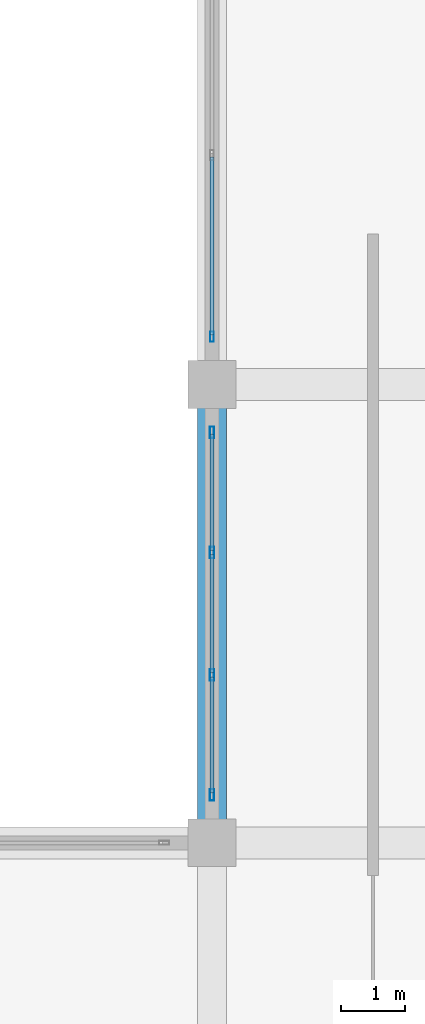
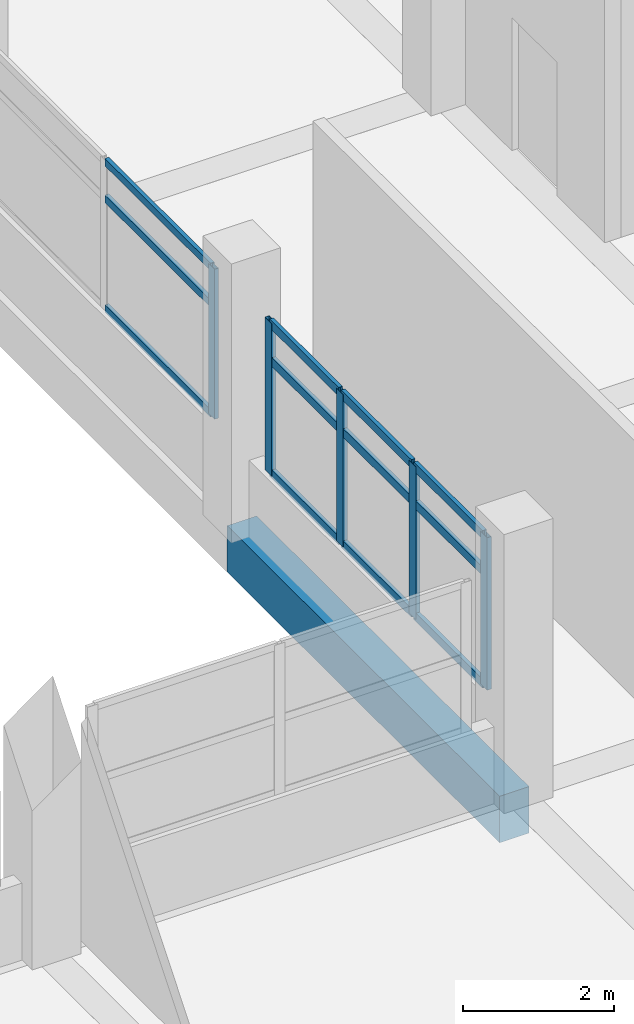
# One storey, part 45 of 141: 17 members, 1 beam, 2 elements without a shape of their own.
"""IFC4 building model written with IfcOpenShell, lengths in metres."""

from ifc_helpers import new_model, si_unit, direction, frame, origin, origin_2d, place, context, subcontext, project, spatial, rectangle, hollow_rectangle, extrude, material, layer, layer_set, material_profile, profile_set, type_object, element, aggregate, save


model = new_model("IFC4")

# Units and contexts
model_context = context("Model", 3, precision=1e-05, world=origin(), true_north=direction((0.0, 1.0)))
body_context = subcontext(model_context, "Body", "Model", "MODEL_VIEW")
ifc_project = project(units=[si_unit("LENGTHUNIT", "METRE"), si_unit("AREAUNIT", "SQUARE_METRE"), si_unit("VOLUMEUNIT", "CUBIC_METRE"), si_unit("PLANEANGLEUNIT", "RADIAN"), si_unit("MASSUNIT", "GRAM", prefix="KILO")], contexts=[model_context])

# Site, building, storey
site_placement = place(None, origin())
site = spatial("IfcSite", under=ifc_project, at=site_placement, CompositionType="ELEMENT")
building_placement = place(site_placement, origin())
building = spatial("IfcBuilding", under=site, at=building_placement, Name="Seraya Terrace Polytechnic", CompositionType="ELEMENT")
storey_placement = place(building_placement, frame((0.0, 0.0, 14.39990234375)))
storey = spatial("IfcBuildingStorey", under=building, at=storey_placement, Name="L03", CompositionType="ELEMENT", Elevation=14.39990234375)

# Beam
ifc_material_1 = material(Name="Concrete C40/50", Category="concrete")
ifc_material_profile_1 = material_profile(ifc_material_1, rectangle(XDim=0.449951171875, YDim=0.75, at=origin_2d()), Name="RC 450x750")
ifc_profile_set_1 = profile_set([ifc_material_profile_1], Name="Concrete C40/50")
beam_type = type_object("IfcBeamType", Name="BM-08", PredefinedType="BEAM", material=ifc_profile_set_1)
beam_placement = place(storey_placement, frame((79.199951171875, 28.800048828125, -0.375), z_axis=(0.0, 1.0, 0.0), x_axis=(-1.0, 0.0, 0.0)))
element("IfcBeam", 1, at=beam_placement, inside=storey, type_object=beam_type, Name="Beam BM-08 L03 Y (79.2, 28.8..36.0)", PredefinedType="BEAM", context=body_context, shape_type="SweptSolid", body=[
    extrude(rectangle(XDim=0.449951171875, YDim=0.75, at=origin_2d()), origin(), (0.0, 0.0, 1.0), 7.199951171875),
])

# Curtain wall, members
ifc_material_2 = material(Name="Anodised aluminium EN AW-6063 T6", Category="aluminium")
ifc_layer_1 = layer(ifc_material_2, 0.179931640625, Name="CW-28")
ifc_layer_set_1 = layer_set([ifc_layer_1], Name="Anodised aluminium EN AW-6063 T6")
curtain_wall_type_1 = type_object("IfcCurtainWallType", Name="CW-28", PredefinedType="NOTDEFINED", material=ifc_layer_set_1)
curtain_wall_1_placement = place(storey_placement, origin())
curtain_wall_1 = element("IfcCurtainWall", 2, at=curtain_wall_1_placement, inside=storey, type_object=curtain_wall_type_1, Name="Unitised curtain wall CW-28 (CW-L03-136)", PredefinedType="NOTDEFINED")
ifc_material_profile_2 = material_profile(ifc_material_2, hollow_rectangle(XDim=0.06494140625, YDim=0.179931640625, WallThickness=0.00390625, at=origin_2d()), Name="RHS 180x65x4.0")
ifc_profile_set_2 = profile_set([ifc_material_profile_2], Name="Anodised aluminium EN AW-6063 T6")
member_type_1 = type_object("IfcMemberType", Name="CWM-01", PredefinedType="MULLION", material=ifc_profile_set_2)
member_1_placement = place(storey_placement, frame((79.199951171875, 29.552490234375, 1.239990234375), z_axis=(0.0, 0.0, 1.0), x_axis=(-1.0, 0.0, 0.0)))
member_1 = element("IfcMember", 3, at=member_1_placement, type_object=member_type_1, Name="CW-28 mullion 1", PredefinedType="MULLION", context=body_context, shape_type="SweptSolid", body=[
    extrude(hollow_rectangle(XDim=0.06494140625, YDim=0.179931640625, WallThickness=0.00390625, at=origin_2d()), origin(), (0.0, 0.0, 1.0), 2.460205078125),
])
member_2_placement = place(storey_placement, frame((79.199951171875, 31.43994140625, 1.239990234375), z_axis=(0.0, 0.0, 1.0), x_axis=(-1.0, 0.0, 0.0)))
member_2 = element("IfcMember", 4, at=member_2_placement, type_object=member_type_1, Name="CW-28 mullion 2", PredefinedType="MULLION", context=body_context, shape_type="SweptSolid", body=[
    extrude(hollow_rectangle(XDim=0.06494140625, YDim=0.179931640625, WallThickness=0.00390625, at=origin_2d()), origin(), (0.0, 0.0, 1.0), 2.460205078125),
])
member_3_placement = place(storey_placement, frame((79.199951171875, 33.360107421875, 1.239990234375), z_axis=(0.0, 0.0, 1.0), x_axis=(-1.0, 0.0, 0.0)))
member_3 = element("IfcMember", 5, at=member_3_placement, type_object=member_type_1, Name="CW-28 mullion 3", PredefinedType="MULLION", context=body_context, shape_type="SweptSolid", body=[
    extrude(hollow_rectangle(XDim=0.06494140625, YDim=0.179931640625, WallThickness=0.00390625, at=origin_2d()), origin(), (0.0, 0.0, 1.0), 2.460205078125),
])
member_4_placement = place(storey_placement, frame((79.199951171875, 35.24755859375, 1.239990234375), z_axis=(0.0, 0.0, 1.0), x_axis=(-1.0, 0.0, 0.0)))
member_4 = element("IfcMember", 6, at=member_4_placement, type_object=member_type_1, Name="CW-28 mullion 4", PredefinedType="MULLION", context=body_context, shape_type="SweptSolid", body=[
    extrude(hollow_rectangle(XDim=0.06494140625, YDim=0.179931640625, WallThickness=0.00390625, at=origin_2d()), origin(), (0.0, 0.0, 1.0), 2.460205078125),
])

# Curtain wall, member
ifc_layer_2 = layer(ifc_material_2, 0.179931640625, Name="CW-29")
ifc_layer_set_2 = layer_set([ifc_layer_2], Name="Anodised aluminium EN AW-6063 T6")
curtain_wall_type_2 = type_object("IfcCurtainWallType", Name="CW-29", PredefinedType="NOTDEFINED", material=ifc_layer_set_2)
curtain_wall_2_placement = place(storey_placement, origin())
curtain_wall_2 = element("IfcCurtainWall", 7, at=curtain_wall_2_placement, inside=storey, type_object=curtain_wall_type_2, Name="Unitised curtain wall CW-29 (CW-L03-137)", PredefinedType="NOTDEFINED")
ifc_material_profile_3 = material_profile(ifc_material_2, hollow_rectangle(XDim=0.06005859375, YDim=0.159912109375, WallThickness=0.00341796875, at=origin_2d()), Name="RHS 160x60x3.5")
ifc_profile_set_3 = profile_set([ifc_material_profile_3], Name="Anodised aluminium EN AW-6063 T6")
member_type_2 = type_object("IfcMemberType", Name="CWM-02", PredefinedType="MULLION", material=ifc_profile_set_3)
member_5_placement = place(storey_placement, frame((79.199951171875, 36.75, 1.239990234375), z_axis=(0.0, 0.0, 1.0), x_axis=(-1.0, 0.0, 0.0)))
member_5 = element("IfcMember", 8, at=member_5_placement, type_object=member_type_2, Name="CW-29 mullion 1", PredefinedType="MULLION", context=body_context, shape_type="SweptSolid", body=[
    extrude(hollow_rectangle(XDim=0.06005859375, YDim=0.159912109375, WallThickness=0.00341796875, at=origin_2d()), origin(), (0.0, 0.0, 1.0), 2.420166015625),
])

# Member
ifc_material_profile_4 = material_profile(ifc_material_2, hollow_rectangle(XDim=0.06005859375, YDim=0.139892578125, WallThickness=0.00341796875, at=origin_2d()), Name="RHS 140x60x3.5")
ifc_profile_set_4 = profile_set([ifc_material_profile_4], Name="Anodised aluminium EN AW-6063 T6")
member_type_3 = type_object("IfcMemberType", Name="CWT-01", PredefinedType="USERDEFINED", material=ifc_profile_set_4)
member_6_placement = place(storey_placement, frame((79.199951171875, 29.5849609375, 1.27001953125), z_axis=(0.0, 1.0, 0.0), x_axis=(-1.0, 0.0, 0.0)))
member_6 = element("IfcMember", 9, at=member_6_placement, type_object=member_type_3, Name="CW-28 transom 1.1", ObjectType="TRANSOM", PredefinedType="USERDEFINED", context=body_context, shape_type="SweptSolid", body=[
    extrude(hollow_rectangle(XDim=0.06005859375, YDim=0.139892578125, WallThickness=0.00341796875, at=origin_2d()), origin(), (0.0, 0.0, 1.0), 1.822509765625),
])

member_7_placement = place(storey_placement, frame((79.199951171875, 29.5849609375, 3.080078125), z_axis=(0.0, 1.0, 0.0), x_axis=(-1.0, 0.0, 0.0)))
member_7 = element("IfcMember", 10, at=member_7_placement, type_object=member_type_3, Name="CW-28 transom 1.2", ObjectType="TRANSOM", PredefinedType="USERDEFINED", context=body_context, shape_type="SweptSolid", body=[
    extrude(hollow_rectangle(XDim=0.06005859375, YDim=0.139892578125, WallThickness=0.00341796875, at=origin_2d()), origin(), (0.0, 0.0, 1.0), 1.822509765625),
])

member_8_placement = place(storey_placement, frame((79.199951171875, 29.5849609375, 3.670166015625), z_axis=(0.0, 1.0, 0.0), x_axis=(-1.0, 0.0, 0.0)))
member_8 = element("IfcMember", 11, at=member_8_placement, type_object=member_type_3, Name="CW-28 transom 1.3", ObjectType="TRANSOM", PredefinedType="USERDEFINED", context=body_context, shape_type="SweptSolid", body=[
    extrude(hollow_rectangle(XDim=0.06005859375, YDim=0.139892578125, WallThickness=0.00341796875, at=origin_2d()), origin(), (0.0, 0.0, 1.0), 1.822509765625),
])

member_9_placement = place(storey_placement, frame((79.199951171875, 31.472412109375, 1.27001953125), z_axis=(0.0, 1.0, 0.0), x_axis=(-1.0, 0.0, 0.0)))
member_9 = element("IfcMember", 12, at=member_9_placement, type_object=member_type_3, Name="CW-28 transom 2.1", ObjectType="TRANSOM", PredefinedType="USERDEFINED", context=body_context, shape_type="SweptSolid", body=[
    extrude(hollow_rectangle(XDim=0.06005859375, YDim=0.139892578125, WallThickness=0.00341796875, at=origin_2d()), origin(), (0.0, 0.0, 1.0), 1.85498046875),
])

member_10_placement = place(storey_placement, frame((79.199951171875, 31.472412109375, 3.080078125), z_axis=(0.0, 1.0, 0.0), x_axis=(-1.0, 0.0, 0.0)))
member_10 = element("IfcMember", 13, at=member_10_placement, type_object=member_type_3, Name="CW-28 transom 2.2", ObjectType="TRANSOM", PredefinedType="USERDEFINED", context=body_context, shape_type="SweptSolid", body=[
    extrude(hollow_rectangle(XDim=0.06005859375, YDim=0.139892578125, WallThickness=0.00341796875, at=origin_2d()), origin(), (0.0, 0.0, 1.0), 1.85498046875),
])

member_11_placement = place(storey_placement, frame((79.199951171875, 31.472412109375, 3.670166015625), z_axis=(0.0, 1.0, 0.0), x_axis=(-1.0, 0.0, 0.0)))
member_11 = element("IfcMember", 14, at=member_11_placement, type_object=member_type_3, Name="CW-28 transom 2.3", ObjectType="TRANSOM", PredefinedType="USERDEFINED", context=body_context, shape_type="SweptSolid", body=[
    extrude(hollow_rectangle(XDim=0.06005859375, YDim=0.139892578125, WallThickness=0.00341796875, at=origin_2d()), origin(), (0.0, 0.0, 1.0), 1.85498046875),
])

member_12_placement = place(storey_placement, frame((79.199951171875, 33.392578125, 1.27001953125), z_axis=(0.0, 1.0, 0.0), x_axis=(-1.0, 0.0, 0.0)))
member_12 = element("IfcMember", 15, at=member_12_placement, type_object=member_type_3, Name="CW-28 transom 3.1", ObjectType="TRANSOM", PredefinedType="USERDEFINED", context=body_context, shape_type="SweptSolid", body=[
    extrude(hollow_rectangle(XDim=0.06005859375, YDim=0.139892578125, WallThickness=0.00341796875, at=origin_2d()), origin(), (0.0, 0.0, 1.0), 1.822509765625),
])

member_13_placement = place(storey_placement, frame((79.199951171875, 33.392578125, 3.080078125), z_axis=(0.0, 1.0, 0.0), x_axis=(-1.0, 0.0, 0.0)))
member_13 = element("IfcMember", 16, at=member_13_placement, type_object=member_type_3, Name="CW-28 transom 3.2", ObjectType="TRANSOM", PredefinedType="USERDEFINED", context=body_context, shape_type="SweptSolid", body=[
    extrude(hollow_rectangle(XDim=0.06005859375, YDim=0.139892578125, WallThickness=0.00341796875, at=origin_2d()), origin(), (0.0, 0.0, 1.0), 1.822509765625),
])

member_14_placement = place(storey_placement, frame((79.199951171875, 33.392578125, 3.670166015625), z_axis=(0.0, 1.0, 0.0), x_axis=(-1.0, 0.0, 0.0)))
member_14 = element("IfcMember", 17, at=member_14_placement, type_object=member_type_3, Name="CW-28 transom 3.3", ObjectType="TRANSOM", PredefinedType="USERDEFINED", context=body_context, shape_type="SweptSolid", body=[
    extrude(hollow_rectangle(XDim=0.06005859375, YDim=0.139892578125, WallThickness=0.00341796875, at=origin_2d()), origin(), (0.0, 0.0, 1.0), 1.822509765625),
])

aggregate(curtain_wall_1, [member_1, member_2, member_3, member_4, member_6, member_7, member_8, member_9, member_10, member_11, member_12, member_13, member_14])

ifc_material_profile_5 = material_profile(ifc_material_2, hollow_rectangle(XDim=0.06005859375, YDim=0.1201171875, WallThickness=0.003173828125, at=origin_2d()), Name="RHS 120x60x3.2")
ifc_profile_set_5 = profile_set([ifc_material_profile_5], Name="Anodised aluminium EN AW-6063 T6")
member_type_4 = type_object("IfcMemberType", Name="CWT-02", PredefinedType="USERDEFINED", material=ifc_profile_set_5)
member_15_placement = place(storey_placement, frame((79.199951171875, 36.780029296875, 1.27001953125), z_axis=(0.0, 1.0, 0.0), x_axis=(-1.0, 0.0, 0.0)))
member_15 = element("IfcMember", 18, at=member_15_placement, type_object=member_type_4, Name="CW-29 transom 1.1", ObjectType="TRANSOM", PredefinedType="USERDEFINED", context=body_context, shape_type="SweptSolid", body=[
    extrude(hollow_rectangle(XDim=0.06005859375, YDim=0.1201171875, WallThickness=0.003173828125, at=origin_2d()), origin(), (0.0, 0.0, 1.0), 2.7900390625),
])

member_16_placement = place(storey_placement, frame((79.199951171875, 36.780029296875, 3.0400390625), z_axis=(0.0, 1.0, 0.0), x_axis=(-1.0, 0.0, 0.0)))
member_16 = element("IfcMember", 19, at=member_16_placement, type_object=member_type_4, Name="CW-29 transom 1.2", ObjectType="TRANSOM", PredefinedType="USERDEFINED", context=body_context, shape_type="SweptSolid", body=[
    extrude(hollow_rectangle(XDim=0.06005859375, YDim=0.1201171875, WallThickness=0.003173828125, at=origin_2d()), origin(), (0.0, 0.0, 1.0), 2.7900390625),
])

member_17_placement = place(storey_placement, frame((79.199951171875, 36.780029296875, 3.630126953125), z_axis=(0.0, 1.0, 0.0), x_axis=(-1.0, 0.0, 0.0)))
member_17 = element("IfcMember", 20, at=member_17_placement, type_object=member_type_4, Name="CW-29 transom 1.3", ObjectType="TRANSOM", PredefinedType="USERDEFINED", context=body_context, shape_type="SweptSolid", body=[
    extrude(hollow_rectangle(XDim=0.06005859375, YDim=0.1201171875, WallThickness=0.003173828125, at=origin_2d()), origin(), (0.0, 0.0, 1.0), 2.7900390625),
])

aggregate(curtain_wall_2, [member_5, member_15, member_16, member_17])

save(model, "model.ifc")
